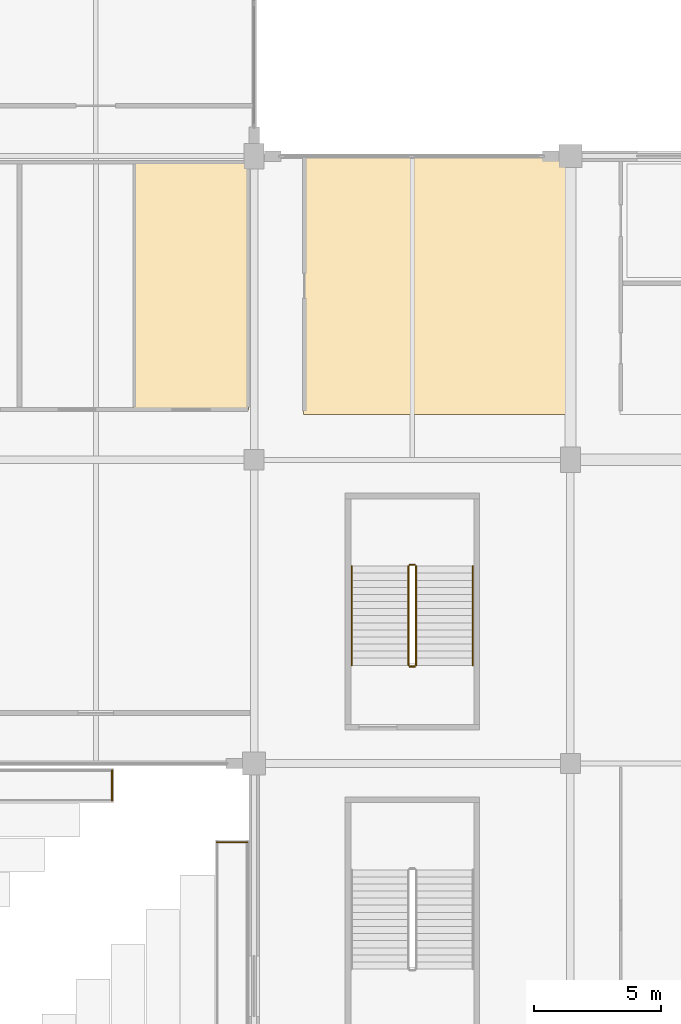
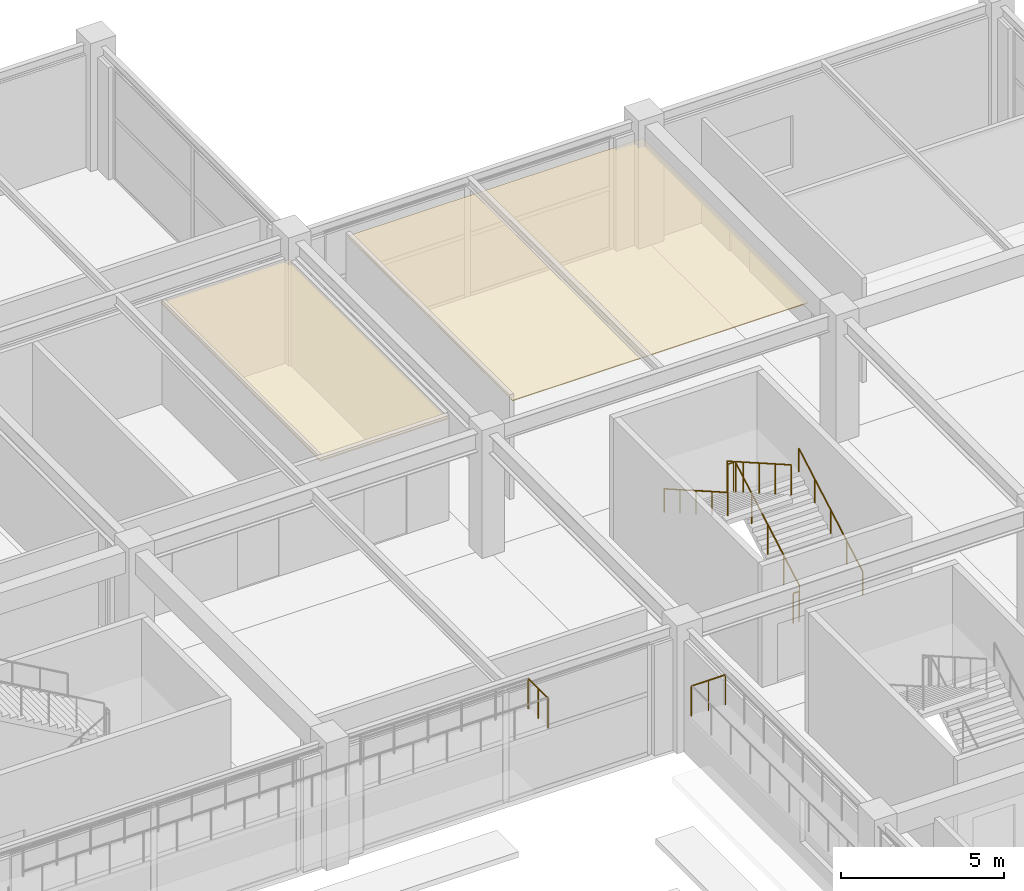
# One storey, part 133 of 134: 8 railings, 2 coverings.
"""IFC4 building model written with IfcOpenShell, lengths in metres."""

from ifc_helpers import new_model, si_unit, direction, frame, origin, origin_2d, place, context, subcontext, project, spatial, polyline, circle, outline, extrude, material, layer, layer_set, type_object, element, save


model = new_model("IFC4")

# Units and contexts
model_context = context("Model", 3, precision=1e-05, world=origin(), true_north=direction((0.0, 1.0)))
body_context = subcontext(model_context, "Body", "Model", "MODEL_VIEW")
ifc_project = project(units=[si_unit("LENGTHUNIT", "METRE"), si_unit("AREAUNIT", "SQUARE_METRE"), si_unit("VOLUMEUNIT", "CUBIC_METRE"), si_unit("PLANEANGLEUNIT", "RADIAN"), si_unit("MASSUNIT", "GRAM", prefix="KILO")], contexts=[model_context])

# Site, building, storey
site_placement = place(None, origin())
site = spatial("IfcSite", under=ifc_project, at=site_placement, CompositionType="ELEMENT")
building_placement = place(site_placement, origin())
building = spatial("IfcBuilding", under=site, at=building_placement, Name="Kazenohara Klinker Stadium", CompositionType="ELEMENT")
storey_placement = place(building_placement, frame((0.0, 0.0, 5.39990234375)))
storey = spatial("IfcBuildingStorey", under=building, at=storey_placement, Name="L01", CompositionType="ELEMENT", Elevation=5.39990234375)

# Coverings
ifc_material_1 = material(Name="Perforated acoustic mineral-fibre ceiling tile", Category="gypsum")
ifc_layer_1 = layer(ifc_material_1, 0.030029296875)
ifc_layer_set_1 = layer_set([ifc_layer_1], Name="Perforated acoustic mineral-fibre ceiling tile")
covering_type_1 = type_object("IfcCoveringType", Name="COV-CEIL-01", PredefinedType="CEILING", material=ifc_layer_set_1)
covering_1_placement = place(storey_placement, frame((0.0, 0.0, 3.75)))
element("IfcCovering", 1, at=covering_1_placement, inside=storey, type_object=covering_type_1, Name="Suspended acoustic ceiling CL01 Family Sensory Hospitality Lounge L01-1412A", PredefinedType="CEILING", context=body_context, shape_type="SweptSolid", body=[
    extrude(outline(polyline([(176.9599609375, 145.800048828125), (187.43994140625, 145.800048828125), (187.43994140625, 155.9599609375), (176.9599609375, 155.9599609375), (176.9599609375, 145.800048828125)])), origin(), (0.0, 0.0, 1.0), 0.030029296875),
])
ifc_material_2 = material(Name="Slatted Hokkaido cedar acoustic baffle ceiling", Category="wood")
ifc_layer_2 = layer(ifc_material_2, 0.0400390625)
ifc_layer_set_2 = layer_set([ifc_layer_2], Name="Slatted Hokkaido cedar acoustic baffle ceiling")
covering_type_2 = type_object("IfcCoveringType", Name="COV-CEIL-02", PredefinedType="CEILING", material=ifc_layer_set_2)
covering_2_placement = place(storey_placement, frame((0.0, 0.0, 3.739990234375)))
element("IfcCovering", 2, at=covering_2_placement, inside=storey, type_object=covering_type_2, Name="Suspended acoustic ceiling CL02 Water Closet Restroom Female L01-1312C", PredefinedType="CEILING", context=body_context, shape_type="SweptSolid", body=[
    extrude(outline(polyline([(170.232177734375, 145.969970703125), (174.780029296875, 145.969970703125), (174.780029296875, 155.780029296875), (170.232177734375, 155.780029296875), (170.232177734375, 145.969970703125)])), origin(), (0.0, 0.0, 1.0), 0.0400390625),
])

# Railings
ifc_material_3 = material(Name="Galvanised powder-coated steel guardrail", Category="steel")
ifc_layer_3 = layer(ifc_material_3, 0.070068359375)
ifc_layer_set_3 = layer_set([ifc_layer_3], Name="Galvanised powder-coated steel guardrail")
railing_type_1 = type_object("IfcRailingType", Name="RL-GRD-1150", PredefinedType="GUARDRAIL", material=ifc_layer_set_3)
railing_1_placement = place(storey_placement, frame((173.528564453125, 128.888671875, 3.400146484375)))
element("IfcRailing", 3, at=railing_1_placement, inside=storey, type_object=railing_type_1, Name="Spectator stand sightline guardrail TIER-LOWER-E-01-N", PredefinedType="GUARDRAIL", context=body_context, shape_type="SweptSolid", body=[
    extrude(circle(Radius=0.02392578125, at=origin_2d()), frame((0.0, 0.0, 1.1259765625), z_axis=(1.0, 0.0, 0.0), x_axis=(0.0, 1.0, 0.0)), (0.0, 0.0, 1.0), 1.21142578125),
    extrude(circle(Radius=0.02099609375, at=origin_2d()), origin(), (0.0, 0.0, 1.0), 1.101806640625),
    extrude(circle(Radius=0.02099609375, at=origin_2d()), frame((0.605712890625, 0.0, 0.0)), (0.0, 0.0, 1.0), 1.101806640625),
    extrude(circle(Radius=0.02099609375, at=origin_2d()), frame((1.21142578125, 0.0, 0.0)), (0.0, 0.0, 1.0), 1.101806640625),
])
railing_2_placement = place(storey_placement, frame((169.388671875, 130.528564453125, 3.400146484375)))
element("IfcRailing", 4, at=railing_2_placement, inside=storey, type_object=railing_type_1, Name="Spectator stand sightline guardrail TIER-LOWER-N-01-E", PredefinedType="GUARDRAIL", context=body_context, shape_type="SweptSolid", body=[
    extrude(circle(Radius=0.02392578125, at=origin_2d()), frame((0.0, 0.0, 1.1259765625), z_axis=(0.0, 1.0, 0.0), x_axis=(-1.0, 0.0, 0.0)), (0.0, 0.0, 1.0), 1.21142578125),
    extrude(circle(Radius=0.02099609375, at=origin_2d()), origin(), (0.0, 0.0, 1.0), 1.101806640625),
    extrude(circle(Radius=0.02099609375, at=origin_2d()), frame((0.0, 0.605712890625, 0.0)), (0.0, 0.0, 1.0), 1.101806640625),
    extrude(circle(Radius=0.02099609375, at=origin_2d()), frame((0.0, 1.21142578125, 0.0)), (0.0, 0.0, 1.0), 1.101806640625),
])
ifc_material_4 = material(Name="Brushed stainless steel 304 handrail", Category="steel")
ifc_layer_4 = layer(ifc_material_4, 0.050048828125)
ifc_layer_set_4 = layer_set([ifc_layer_4], Name="Brushed stainless steel 304 handrail")
railing_type_2 = type_object("IfcRailingType", Name="RL-HND-900", PredefinedType="HANDRAIL", material=ifc_layer_set_4)
railing_3_placement = place(storey_placement, frame((183.639892578125, 135.8798828125, 0.16015625)))
element("IfcRailing", 5, at=railing_3_placement, inside=storey, type_object=railing_type_2, Name="L01 ST12 stair handrail 1", PredefinedType="HANDRAIL", context=body_context, shape_type="SweptSolid", body=[
    extrude(circle(Radius=0.02392578125, at=origin_2d()), frame((0.0, 0.0, 0.8759765625), z_axis=(0.0, 0.86825312469, 0.496121468458), x_axis=(-1.0, 0.0, 0.0)), (0.0, 0.0, 1.0), 4.514892578125),
    extrude(circle(Radius=0.02099609375, at=origin_2d()), origin(), (0.0, 0.0, 1.0), 0.851806640625),
    extrude(circle(Radius=0.02099609375, at=origin_2d()), frame((0.0, 0.97998046875, 0.56005859375)), (0.0, 0.0, 1.0), 0.851806640625),
    extrude(circle(Radius=0.02099609375, at=origin_2d()), frame((0.0, 1.9599609375, 1.1201171875)), (0.0, 0.0, 1.0), 0.851806640625),
    extrude(circle(Radius=0.02099609375, at=origin_2d()), frame((0.0, 2.940185546875, 1.679931640625)), (0.0, 0.0, 1.0), 0.851806640625),
    extrude(circle(Radius=0.02099609375, at=origin_2d()), frame((0.0, 3.920166015625, 2.239990234375)), (0.0, 0.0, 1.0), 0.851806640625),
])
railing_4_placement = place(storey_placement, frame((178.860107421875, 139.800048828125, 2.56005859375)))
element("IfcRailing", 6, at=railing_4_placement, inside=storey, type_object=railing_type_2, Name="L01 ST12 stair handrail 2", PredefinedType="HANDRAIL", context=body_context, shape_type="SweptSolid", body=[
    extrude(circle(Radius=0.02392578125, at=origin_2d()), frame((0.0, 0.0, 0.8759765625), z_axis=(0.0, -0.86825312469, 0.496121468458), x_axis=(1.0, 0.0, 0.0)), (0.0, 0.0, 1.0), 4.514892578125),
    extrude(circle(Radius=0.02099609375, at=origin_2d()), origin(), (0.0, 0.0, 1.0), 0.851806640625),
    extrude(circle(Radius=0.02099609375, at=origin_2d()), frame((0.0, -0.97998046875, 0.56005859375)), (0.0, 0.0, 1.0), 0.851806640625),
    extrude(circle(Radius=0.02099609375, at=origin_2d()), frame((0.0, -1.9599609375, 1.1201171875)), (0.0, 0.0, 1.0), 0.851806640625),
    extrude(circle(Radius=0.02099609375, at=origin_2d()), frame((0.0, -2.940185546875, 1.679931640625)), (0.0, 0.0, 1.0), 0.851806640625),
    extrude(circle(Radius=0.02099609375, at=origin_2d()), frame((0.0, -3.920166015625, 2.239990234375)), (0.0, 0.0, 1.0), 0.851806640625),
])
ifc_material_5 = material(Name="Painted steel stairwell guardrail", Category="steel")
ifc_layer_5 = layer(ifc_material_5, 0.06005859375)
ifc_layer_set_5 = layer_set([ifc_layer_5], Name="Painted steel stairwell guardrail")
railing_type_3 = type_object("IfcRailingType", Name="RL-STG-1120", PredefinedType="GUARDRAIL", material=ifc_layer_set_5)
railing_5_placement = place(storey_placement, frame((181.39990234375, 135.8798828125, 0.16015625)))
element("IfcRailing", 7, at=railing_5_placement, inside=storey, type_object=railing_type_3, Name="L01 ST12 stair guard 1", PredefinedType="GUARDRAIL", context=body_context, shape_type="SweptSolid", body=[
    extrude(circle(Radius=0.02392578125, at=origin_2d()), frame((0.0, 0.0, 1.1259765625), z_axis=(0.0, 0.86825312469, 0.496121468458), x_axis=(-1.0, 0.0, 0.0)), (0.0, 0.0, 1.0), 4.514892578125),
    extrude(circle(Radius=0.02099609375, at=origin_2d()), origin(), (0.0, 0.0, 1.0), 1.101806640625),
    extrude(circle(Radius=0.02099609375, at=origin_2d()), frame((0.0, 0.97998046875, 0.56005859375)), (0.0, 0.0, 1.0), 1.101806640625),
    extrude(circle(Radius=0.02099609375, at=origin_2d()), frame((0.0, 1.9599609375, 1.1201171875)), (0.0, 0.0, 1.0), 1.101806640625),
    extrude(circle(Radius=0.02099609375, at=origin_2d()), frame((0.0, 2.940185546875, 1.679931640625)), (0.0, 0.0, 1.0), 1.101806640625),
    extrude(circle(Radius=0.02099609375, at=origin_2d()), frame((0.0, 3.920166015625, 2.239990234375)), (0.0, 0.0, 1.0), 1.101806640625),
])
railing_6_placement = place(storey_placement, frame((181.35009765625, 139.85009765625, 2.400146484375)))
element("IfcRailing", 8, at=railing_6_placement, inside=storey, type_object=railing_type_3, Name="L01 ST12 stair guard 2", PredefinedType="GUARDRAIL", context=body_context, shape_type="SweptSolid", body=[
    extrude(circle(Radius=0.02392578125, at=origin_2d()), frame((0.0, 0.0, 1.1259765625), z_axis=(-1.0, 0.0, 0.0), x_axis=(0.0, -1.0, 0.0)), (0.0, 0.0, 1.0), 0.2001953125),
    extrude(circle(Radius=0.02099609375, at=origin_2d()), origin(), (0.0, 0.0, 1.0), 1.101806640625),
    extrude(circle(Radius=0.02099609375, at=origin_2d()), frame((-0.2001953125, 0.0, 0.0)), (0.0, 0.0, 1.0), 1.101806640625),
])
railing_7_placement = place(storey_placement, frame((181.10009765625, 139.800048828125, 2.56005859375)))
element("IfcRailing", 9, at=railing_7_placement, inside=storey, type_object=railing_type_3, Name="L01 ST12 stair guard 3", PredefinedType="GUARDRAIL", context=body_context, shape_type="SweptSolid", body=[
    extrude(circle(Radius=0.02392578125, at=origin_2d()), frame((0.0, 0.0, 1.1259765625), z_axis=(0.0, -0.86825312469, 0.496121468458), x_axis=(1.0, 0.0, 0.0)), (0.0, 0.0, 1.0), 4.514892578125),
    extrude(circle(Radius=0.02099609375, at=origin_2d()), origin(), (0.0, 0.0, 1.0), 1.101806640625),
    extrude(circle(Radius=0.02099609375, at=origin_2d()), frame((0.0, -0.97998046875, 0.56005859375)), (0.0, 0.0, 1.0), 1.101806640625),
    extrude(circle(Radius=0.02099609375, at=origin_2d()), frame((0.0, -1.9599609375, 1.1201171875)), (0.0, 0.0, 1.0), 1.101806640625),
    extrude(circle(Radius=0.02099609375, at=origin_2d()), frame((0.0, -2.940185546875, 1.679931640625)), (0.0, 0.0, 1.0), 1.101806640625),
    extrude(circle(Radius=0.02099609375, at=origin_2d()), frame((0.0, -3.920166015625, 2.239990234375)), (0.0, 0.0, 1.0), 1.101806640625),
])
railing_8_placement = place(storey_placement, frame((181.35009765625, 135.830078125, 0.0)))
element("IfcRailing", 10, at=railing_8_placement, inside=storey, type_object=railing_type_3, Name="L01 ST12 stair guard 4", PredefinedType="GUARDRAIL", context=body_context, shape_type="SweptSolid", body=[
    extrude(circle(Radius=0.02392578125, at=origin_2d()), frame((0.0, 0.0, 1.1259765625), z_axis=(-1.0, 0.0, 0.0), x_axis=(0.0, -1.0, 0.0)), (0.0, 0.0, 1.0), 0.2001953125),
    extrude(circle(Radius=0.02099609375, at=origin_2d()), origin(), (0.0, 0.0, 1.0), 1.101806640625),
    extrude(circle(Radius=0.02099609375, at=origin_2d()), frame((-0.2001953125, 0.0, 0.0)), (0.0, 0.0, 1.0), 1.101806640625),
])

save(model, "model.ifc")
